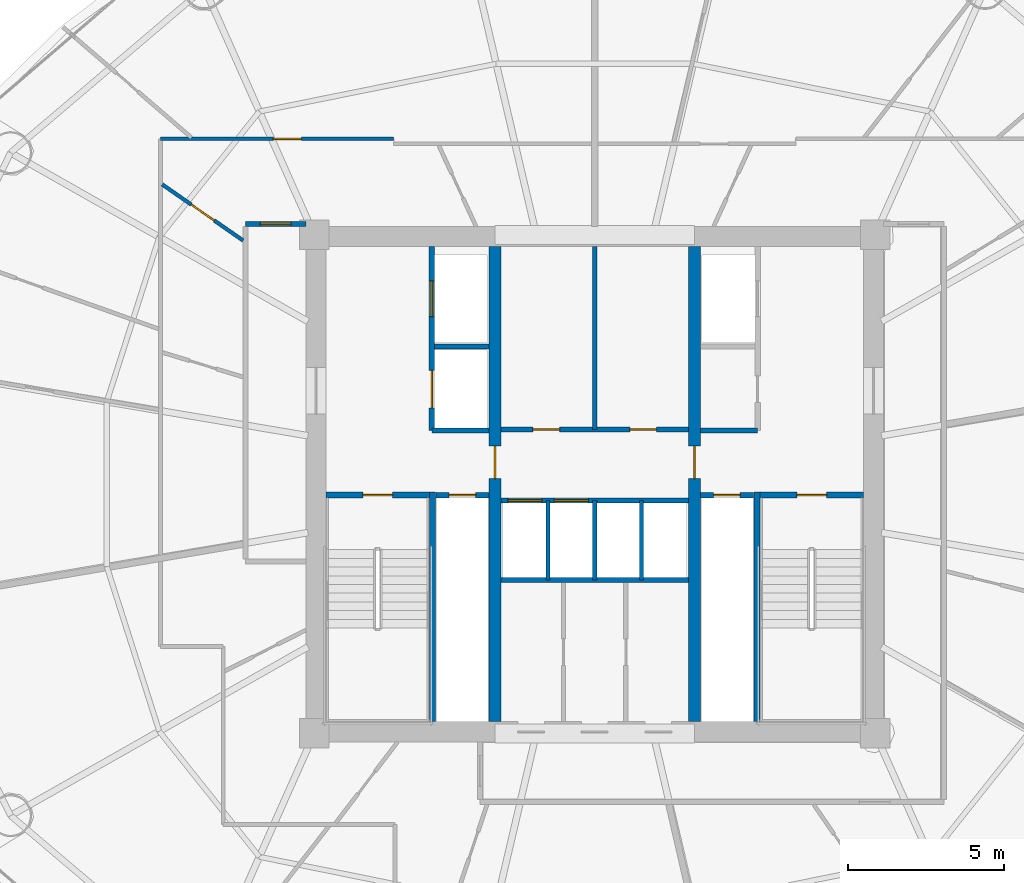
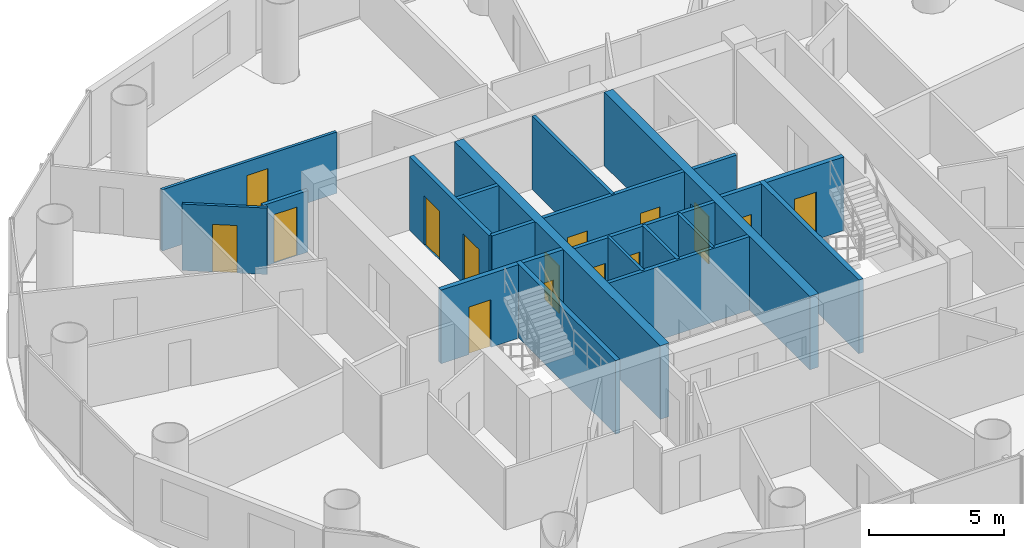
# One storey, part 21 of 26: 22 walls, 15 doors, 15 openings.
"""IFC4 building model written with IfcOpenShell, lengths in metres."""

from ifc_helpers import new_model, si_unit, direction, frame, frame_2d, origin, place, context, subcontext, project, spatial, rectangle, extrude, source, transform, mapped, material, layer, layer_set, type_object, element, fill, save


model = new_model("IFC4")

# Units and contexts
model_context = context("Model", 3, precision=1e-05, world=origin(), true_north=direction((-0.2419218956, 0.970295726276)))
body_context = subcontext(model_context, "Body", "Model", "MODEL_VIEW")
ifc_project = project(units=[si_unit("LENGTHUNIT", "METRE"), si_unit("AREAUNIT", "SQUARE_METRE"), si_unit("VOLUMEUNIT", "CUBIC_METRE"), si_unit("PLANEANGLEUNIT", "RADIAN"), si_unit("MASSUNIT", "GRAM", prefix="KILO")], contexts=[model_context])

# Site, building, storey
site_placement = place(None, origin())
site = spatial("IfcSite", under=ifc_project, at=site_placement, CompositionType="ELEMENT")
building_placement = place(site_placement, origin())
building = spatial("IfcBuilding", under=site, at=building_placement, Name="Cobrevalo Terracotta Tower", CompositionType="ELEMENT")
storey_placement = place(building_placement, frame((0.0, 0.0, 142.60009765625)))
storey = spatial("IfcBuildingStorey", under=building, at=storey_placement, Name="L37", CompositionType="ELEMENT", Elevation=142.60009765625)

# Walls
ifc_material_1 = material(Name="Gypsum board on steel stud", Category="steel")
ifc_layer_1 = layer(ifc_material_1, 0.159912109375)
ifc_layer_set_1 = layer_set([ifc_layer_1], Name="Gypsum board on steel stud")
wall_type_1 = type_object("IfcWallType", Name="Fire-rated corridor acoustic partition wall 160 mm", PredefinedType="PARTITIONING", material=ifc_layer_set_1)
wall_1_placement = place(storey_placement, frame((32.860107421875, 31.219970703125, 0.0), z_axis=(0.0, 0.0, 1.0), x_axis=(1.0, 0.0, 0.0)))
element("IfcWall", 1, at=wall_1_placement, inside=storey, type_object=wall_type_1, Name="L37 interior partition IW-L37-FF1-M", PredefinedType="PARTITIONING", context=body_context, shape_type="SweptSolid", body=[
    extrude(rectangle(XDim=1.75, YDim=0.159912109375, at=frame_2d((0.875, 0.0))), origin(), (0.0, 0.0, 1.0), 3.329833984375),
])
for number, where, z_axis, x_axis, name in (
    (2, (32.77001953125, 28.52001953125, 0.0), (0.0, 0.0, 1.0), (1.0, 0.0, 0.0), "L37 interior partition IW-L37-FF1-S"),
    (3, (41.389892578125, 28.52001953125, 0.0), (0.0, 0.0, 1.0), (1.0, 0.0, 0.0), "L37 interior partition IW-L37-FF2-S"),
):
    element("IfcWall", number, at=place(storey_placement, frame(where, z_axis=z_axis, x_axis=x_axis)), inside=storey, type_object=wall_type_1, Name=name, PredefinedType="PARTITIONING", context=body_context, shape_type="SweptSolid", body=[
        extrude(rectangle(XDim=1.840087890625, YDim=0.159912109375, at=frame_2d((0.919921875, 0.0))), origin(), (0.0, 0.0, 1.0), 3.329833984375),
    ])

# Wall, openings, doors
wall_2_placement = place(storey_placement, frame((34.989990234375, 28.56005859375, 0.0), z_axis=(0.0, 0.0, 1.0), x_axis=(1.0, 0.0, 0.0)))
wall_2 = element("IfcWall", 4, at=wall_2_placement, inside=storey, type_object=wall_type_1, Name="L37 interior partition IW-L37-LB-S", PredefinedType="PARTITIONING", context=body_context, shape_type="SweptSolid", body=[
    extrude(rectangle(XDim=6.02001953125, YDim=0.159912109375, at=frame_2d((3.010009765625, 0.0))), origin(), (0.0, 0.0, 1.0), 3.329833984375),
])
opening_1_placement = place(wall_2_placement, frame((1.02490234375, 0.0, 0.0)))
opening_1 = element("IfcOpeningElement", 5, at=opening_1_placement, cuts=wall_2, Name="Opening ID-07", PredefinedType="OPENING", context=body_context, shape_type="SweptSolid", body=[
    extrude(rectangle(XDim=0.860107421875, YDim=2.10009765625, at=frame_2d((0.43017578125, 1.050048828125))), frame((0.0, 0.08984375, 0.0), z_axis=(0.0, -1.0, 0.0), x_axis=(1.0, 0.0, 0.0)), (0.0, 0.0, 1.0), 0.179931640625),
])
opening_2_placement = place(wall_2_placement, frame((4.139892578125, 0.0, 0.0)))
opening_2 = element("IfcOpeningElement", 6, at=opening_2_placement, cuts=wall_2, Name="Opening ID-22", PredefinedType="OPENING", context=body_context, shape_type="SweptSolid", body=[
    extrude(rectangle(XDim=0.85009765625, YDim=2.10009765625, at=frame_2d((0.425048828125, 1.050048828125))), frame((0.0, 0.08984375, 0.0), z_axis=(0.0, -1.0, 0.0), x_axis=(1.0, 0.0, 0.0)), (0.0, 0.0, 1.0), 0.179931640625),
])
ifc_material_2 = material(Name="Powder-coated steel", Category="steel")
door_type_1 = type_object("IfcDoorType", Name="Riser shaft & meter closet fire access door 850x2100 EI 60", OperationType="NOTDEFINED", PredefinedType="DOOR", material=ifc_material_2)
shared_shape_1 = source(origin(), body_context, "Body", "SweptSolid", [
    extrude(rectangle(XDim=0.85009765625, YDim=2.10009765625, at=frame_2d((0.425048828125, 1.050048828125))), frame((0.0, 0.02490234375, 0.0), z_axis=(0.0, -1.0, 0.0), x_axis=(1.0, 0.0, 0.0)), (0.0, 0.0, 1.0), 0.050048828125),
])
door_1_placement = place(opening_2_placement, origin())
door_1 = element("IfcDoor", 7, at=door_1_placement, inside=storey, type_object=door_type_1, Name="L37 core service door Floor Telecom and Metering Plant", OperationType="SINGLE_SWING_RIGHT", OverallHeight=2.10009765625, OverallWidth=0.85009765625, PredefinedType="DOOR", context=body_context, shape_type="MappedRepresentation", body=[
    mapped(shared_shape_1, transform((0.0, 0.0, 0.0), scale=1.0)),
])
fill(opening_2, door_1)
ifc_material_3 = material(Name="Fire-rated moisture-sealed timber", Category="wood")
door_type_2 = type_object("IfcDoorType", Name="Core & podium fire-rated accessible WC door 860x2100 EI 60", OperationType="NOTDEFINED", PredefinedType="DOOR", material=ifc_material_3)
shared_shape_2 = source(origin(), body_context, "Body", "SweptSolid", [
    extrude(rectangle(XDim=0.860107421875, YDim=2.10009765625, at=frame_2d((0.43017578125, 1.050048828125))), frame((0.0, 0.02490234375, 0.0), z_axis=(0.0, -1.0, 0.0), x_axis=(1.0, 0.0, 0.0)), (0.0, 0.0, 1.0), 0.050048828125),
])
door_2_placement = place(opening_1_placement, origin())
door_2 = element("IfcDoor", 8, at=door_2_placement, inside=storey, type_object=door_type_2, Name="L37 core service door Core Accessible Toilet WC", OperationType="SINGLE_SWING_LEFT", OverallHeight=2.10009765625, OverallWidth=0.860107421875, PredefinedType="DOOR", context=body_context, shape_type="MappedRepresentation", body=[
    mapped(shared_shape_2, transform((0.0, 0.0, 0.0), scale=1.0)),
])
fill(opening_1, door_2)

wall_3_placement = place(storey_placement, frame((34.989990234375, 26.280029296875, 0.0), z_axis=(0.0, 0.0, 1.0), x_axis=(1.0, 0.0, 0.0)))
wall_3 = element("IfcWall", 9, at=wall_3_placement, inside=storey, type_object=wall_type_1, Name="L37 interior partition IW-L37-MB-N", PredefinedType="PARTITIONING", context=body_context, shape_type="SweptSolid", body=[
    extrude(rectangle(XDim=6.02001953125, YDim=0.159912109375, at=frame_2d((3.010009765625, 0.0))), origin(), (0.0, 0.0, 1.0), 3.329833984375),
])
opening_3_placement = place(wall_3_placement, frame((0.22509765625, 0.0, 0.0)))
opening_3 = element("IfcOpeningElement", 10, at=opening_3_placement, cuts=wall_3, Name="Opening LD-01", PredefinedType="OPENING", context=body_context, shape_type="SweptSolid", body=[
    extrude(rectangle(XDim=1.10009765625, YDim=2.199951171875, at=frame_2d((0.550048828125, 1.10009765625))), frame((0.0, 0.08984375, 0.0), z_axis=(0.0, -1.0, 0.0), x_axis=(1.0, 0.0, 0.0)), (0.0, 0.0, 1.0), 0.179931640625),
])
opening_4_placement = place(wall_3_placement, frame((1.705078125, 0.0, 0.0)))
opening_4 = element("IfcOpeningElement", 11, at=opening_4_placement, cuts=wall_3, Name="Opening LD-01", PredefinedType="OPENING", context=body_context, shape_type="SweptSolid", body=[
    extrude(rectangle(XDim=1.10009765625, YDim=2.199951171875, at=frame_2d((0.550048828125, 1.10009765625))), frame((0.0, 0.08984375, 0.0), z_axis=(0.0, -1.0, 0.0), x_axis=(1.0, 0.0, 0.0)), (0.0, 0.0, 1.0), 0.179931640625),
])
ifc_material_4 = material(Name="Brushed stainless steel", Category="steel")
door_type_3 = type_object("IfcDoorType", Name="Passenger lift landing bi-parting sliding door 1100x2200 EI 90", OperationType="DOUBLE_DOOR_SLIDING", PredefinedType="DOOR", material=ifc_material_4)
shared_shape_3 = source(origin(), body_context, "Body", "SweptSolid", [
    extrude(rectangle(XDim=1.10009765625, YDim=2.199951171875, at=frame_2d((0.550048828125, 1.10009765625))), frame((0.0, 0.02490234375, 0.0), z_axis=(0.0, -1.0, 0.0), x_axis=(1.0, 0.0, 0.0)), (0.0, 0.0, 1.0), 0.050048828125),
])
door_3_placement = place(opening_3_placement, origin())
door_3 = element("IfcDoor", 12, at=door_3_placement, inside=storey, type_object=door_type_3, Name="L37 lift landing door PL-M1", OperationType="DOUBLE_DOOR_SLIDING", OverallHeight=2.199951171875, OverallWidth=1.10009765625, PredefinedType="DOOR", context=body_context, shape_type="MappedRepresentation", body=[
    mapped(shared_shape_3, transform((0.0, 0.0, 0.0), scale=1.0)),
])
fill(opening_3, door_3)
door_4_placement = place(opening_4_placement, origin())
door_4 = element("IfcDoor", 13, at=door_4_placement, inside=storey, type_object=door_type_3, Name="L37 lift landing door PL-M2", OperationType="DOUBLE_DOOR_SLIDING", OverallHeight=2.199951171875, OverallWidth=1.10009765625, PredefinedType="DOOR", context=body_context, shape_type="MappedRepresentation", body=[
    mapped(shared_shape_3, transform((0.0, 0.0, 0.0), scale=1.0)),
])
fill(opening_4, door_4)

# Wall
wall_4_placement = place(storey_placement, frame((34.989990234375, 23.719970703125, 0.0), z_axis=(0.0, 0.0, 1.0), x_axis=(1.0, 0.0, 0.0)))
element("IfcWall", 14, at=wall_4_placement, inside=storey, type_object=wall_type_1, Name="L37 interior partition IW-L37-MB-S", PredefinedType="PARTITIONING", context=body_context, shape_type="SweptSolid", body=[
    extrude(rectangle(XDim=6.02001953125, YDim=0.159912109375, at=frame_2d((3.010009765625, 0.0))), origin(), (0.0, 0.0, 1.0), 3.329833984375),
])

# Wall, opening, door
wall_5_placement = place(storey_placement, frame((26.794921875, 35.155029296875, 0.0), z_axis=(0.0, 0.0, 1.0), x_axis=(1.0, 0.0, 0.0)))
wall_5 = element("IfcWall", 15, at=wall_5_placement, inside=storey, type_object=wall_type_1, Name="L37 interior partition IW-L37-COR-WN-CAP", PredefinedType="PARTITIONING", context=body_context, shape_type="SweptSolid", body=[
    extrude(rectangle(XDim=1.93017578125, YDim=0.159912109375, at=frame_2d((0.965087890625, 0.0))), origin(), (0.0, 0.0, 1.0), 2.77587890625),
])
opening_5_placement = place(wall_5_placement, frame((0.47509765625, 0.0, 0.0)))
opening_5 = element("IfcOpeningElement", 16, at=opening_5_placement, cuts=wall_5, Name="Opening ID-05", PredefinedType="OPENING", context=body_context, shape_type="SweptSolid", body=[
    extrude(rectangle(XDim=0.97998046875, YDim=2.199951171875, at=frame_2d((0.489990234375, 1.10009765625))), frame((0.0, 0.08984375, 0.0), z_axis=(0.0, -1.0, 0.0), x_axis=(1.0, 0.0, 0.0)), (0.0, 0.0, 1.0), 0.179931640625),
])
ifc_material_5 = material(Name="Solid hardwood timber", Category="wood")
door_type_4 = type_object("IfcDoorType", Name="Residence entrance fire-rated acoustic timber door 980x2200 EI 60", OperationType="NOTDEFINED", PredefinedType="DOOR", material=ifc_material_5)
shared_shape_4 = source(origin(), body_context, "Body", "SweptSolid", [
    extrude(rectangle(XDim=0.97998046875, YDim=2.199951171875, at=frame_2d((0.489990234375, 1.10009765625))), frame((0.0, 0.02490234375, 0.0), z_axis=(0.0, -1.0, 0.0), x_axis=(1.0, 0.0, 0.0)), (0.0, 0.0, 1.0), 0.050048828125),
])
door_5_placement = place(opening_5_placement, origin())
door_5 = element("IfcDoor", 17, at=door_5_placement, inside=storey, type_object=door_type_4, Name="Flat L37B fire-rated apartment entrance door", OperationType="SINGLE_SWING_RIGHT", OverallHeight=2.199951171875, OverallWidth=0.97998046875, PredefinedType="DOOR", context=body_context, shape_type="MappedRepresentation", body=[
    mapped(shared_shape_4, transform((0.0, 0.0, 0.0), scale=1.0)),
])
fill(opening_5, door_5)

ifc_layer_2 = layer(ifc_material_1, 0.179931640625)
ifc_layer_set_2 = layer_set([ifc_layer_2], Name="Gypsum board on steel stud")
wall_type_2 = type_object("IfcWallType", Name="Fire-rated shaft & lobby acoustic partition wall 180 mm", PredefinedType="PARTITIONING", material=ifc_layer_set_2)
wall_6_placement = place(storey_placement, frame((32.89990234375, 26.449951171875, 0.0), z_axis=(0.0, 0.0, 1.0), x_axis=(1.0, 0.0, 0.0)))
wall_6 = element("IfcWall", 18, at=wall_6_placement, inside=storey, type_object=wall_type_2, Name="L37 interior partition IW-L37-RSW-N", PredefinedType="PARTITIONING", context=body_context, shape_type="SweptSolid", body=[
    extrude(rectangle(XDim=1.710205078125, YDim=0.179931640625, at=frame_2d((0.85498046875, 0.0))), origin(), (0.0, 0.0, 1.0), 3.329833984375),
])
opening_6_placement = place(wall_6_placement, frame((0.429931640625, 0.0, 0.0)))
opening_6 = element("IfcOpeningElement", 19, at=opening_6_placement, cuts=wall_6, Name="Opening ID-22", PredefinedType="OPENING", context=body_context, shape_type="SweptSolid", body=[
    extrude(rectangle(XDim=0.85009765625, YDim=2.10009765625, at=frame_2d((0.425048828125, 1.050048828125))), frame((0.0, 0.10009765625, 0.0), z_axis=(0.0, -1.0, 0.0), x_axis=(1.0, 0.0, 0.0)), (0.0, 0.0, 1.0), 0.199951171875),
])
door_6_placement = place(opening_6_placement, origin())
door_6 = element("IfcDoor", 20, at=door_6_placement, inside=storey, type_object=door_type_1, Name="L37 riser access door RSW", OperationType="SINGLE_SWING_LEFT", OverallHeight=2.10009765625, OverallWidth=0.85009765625, PredefinedType="DOOR", context=body_context, shape_type="MappedRepresentation", body=[
    mapped(shared_shape_1, transform((0.0, 0.0, 0.0), scale=1.0)),
])
fill(opening_6, door_6)

wall_7_placement = place(storey_placement, frame((41.389892578125, 26.449951171875, 0.0), z_axis=(0.0, 0.0, 1.0), x_axis=(1.0, 0.0, 0.0)))
wall_7 = element("IfcWall", 21, at=wall_7_placement, inside=storey, type_object=wall_type_2, Name="L37 interior partition IW-L37-RSE-N", PredefinedType="PARTITIONING", context=body_context, shape_type="SweptSolid", body=[
    extrude(rectangle(XDim=1.710205078125, YDim=0.179931640625, at=frame_2d((0.85498046875, 0.0))), origin(), (0.0, 0.0, 1.0), 3.329833984375),
])
opening_7_placement = place(wall_7_placement, frame((0.429931640625, 0.0, 0.0)))
opening_7 = element("IfcOpeningElement", 22, at=opening_7_placement, cuts=wall_7, Name="Opening ID-22", PredefinedType="OPENING", context=body_context, shape_type="SweptSolid", body=[
    extrude(rectangle(XDim=0.85009765625, YDim=2.10009765625, at=frame_2d((0.425048828125, 1.050048828125))), frame((0.0, 0.10009765625, 0.0), z_axis=(0.0, -1.0, 0.0), x_axis=(1.0, 0.0, 0.0)), (0.0, 0.0, 1.0), 0.199951171875),
])
door_7_placement = place(opening_7_placement, origin())
door_7 = element("IfcDoor", 23, at=door_7_placement, inside=storey, type_object=door_type_1, Name="L37 riser access door RSE", OperationType="SINGLE_SWING_RIGHT", OverallHeight=2.10009765625, OverallWidth=0.85009765625, PredefinedType="DOOR", context=body_context, shape_type="MappedRepresentation", body=[
    mapped(shared_shape_1, transform((0.0, 0.0, 0.0), scale=1.0)),
])
fill(opening_7, door_7)

# Wall, openings, doors
wall_8_placement = place(storey_placement, frame((32.77001953125, 28.52001953125, 0.0), z_axis=(0.0, 0.0, 1.0), x_axis=(0.0, 1.0, 0.0)))
wall_8 = element("IfcWall", 24, at=wall_8_placement, inside=storey, type_object=wall_type_2, Name="L37 interior partition IW-L37-FF1-W", PredefinedType="PARTITIONING", context=body_context, shape_type="SweptSolid", body=[
    extrude(rectangle(XDim=5.905029296875, YDim=0.179931640625, at=frame_2d((2.95263671875, 0.0))), origin(), (0.0, 0.0, 1.0), 3.329833984375),
])
opening_8_placement = place(wall_8_placement, frame((3.655029296875, 0.0, 0.0)))
opening_8 = element("IfcOpeningElement", 25, at=opening_8_placement, cuts=wall_8, Name="Opening LD-02", PredefinedType="OPENING", context=body_context, shape_type="SweptSolid", body=[
    extrude(rectangle(XDim=1.14990234375, YDim=2.199951171875, at=frame_2d((0.574951171875, 1.10009765625))), frame((0.0, 0.10009765625, 0.0), z_axis=(0.0, -1.0, 0.0), x_axis=(1.0, 0.0, 0.0)), (0.0, 0.0, 1.0), 0.199951171875),
])
opening_9_placement = place(wall_8_placement, frame((0.72998046875, 0.0, 0.0)))
opening_9 = element("IfcOpeningElement", 26, at=opening_9_placement, cuts=wall_8, Name="Opening LD-03", PredefinedType="OPENING", context=body_context, shape_type="SweptSolid", body=[
    extrude(rectangle(XDim=1.199951171875, YDim=2.25, at=frame_2d((0.60009765625, 1.125))), frame((0.0, 0.10009765625, 0.0), z_axis=(0.0, -1.0, 0.0), x_axis=(1.0, 0.0, 0.0)), (0.0, 0.0, 1.0), 0.199951171875),
])
door_type_5 = type_object("IfcDoorType", Name="Firefighting lift landing bi-parting sliding door 1150x2200 EI 120", OperationType="DOUBLE_DOOR_SLIDING", PredefinedType="DOOR", material=ifc_material_4)
shared_shape_5 = source(origin(), body_context, "Body", "SweptSolid", [
    extrude(rectangle(XDim=1.14990234375, YDim=2.199951171875, at=frame_2d((0.574951171875, 1.10009765625))), frame((0.0, 0.02490234375, 0.0), z_axis=(0.0, -1.0, 0.0), x_axis=(1.0, 0.0, 0.0)), (0.0, 0.0, 1.0), 0.050048828125),
])
door_8_placement = place(opening_8_placement, origin())
door_8 = element("IfcDoor", 27, at=door_8_placement, inside=storey, type_object=door_type_5, Name="L37 lift landing door FF-1", OperationType="DOUBLE_DOOR_SLIDING", OverallHeight=2.199951171875, OverallWidth=1.14990234375, PredefinedType="DOOR", context=body_context, shape_type="MappedRepresentation", body=[
    mapped(shared_shape_5, transform((0.0, 0.0, 0.0), scale=1.0)),
])
fill(opening_8, door_8)
door_type_6 = type_object("IfcDoorType", Name="Service lift landing bi-parting sliding door 1200x2250 EI 120", OperationType="DOUBLE_DOOR_SLIDING", PredefinedType="DOOR", material=ifc_material_4)
shared_shape_6 = source(origin(), body_context, "Body", "SweptSolid", [
    extrude(rectangle(XDim=1.199951171875, YDim=2.25, at=frame_2d((0.60009765625, 1.125))), frame((0.0, 0.02490234375, 0.0), z_axis=(0.0, -1.0, 0.0), x_axis=(1.0, 0.0, 0.0)), (0.0, 0.0, 1.0), 0.050048828125),
])
door_9_placement = place(opening_9_placement, origin())
door_9 = element("IfcDoor", 28, at=door_9_placement, inside=storey, type_object=door_type_6, Name="L37 lift landing door SV-1", OperationType="DOUBLE_DOOR_SLIDING", OverallHeight=2.25, OverallWidth=1.199951171875, PredefinedType="DOOR", context=body_context, shape_type="MappedRepresentation", body=[
    mapped(shared_shape_6, transform((0.0, 0.0, 0.0), scale=1.0)),
])
fill(opening_9, door_9)

# Walls
ifc_material_6 = material(Name="Autoclaved aerated concrete block", Category="concrete")
ifc_layer_3 = layer(ifc_material_6, 0.1201171875)
ifc_layer_set_3 = layer_set([ifc_layer_3], Name="Autoclaved aerated concrete block")
wall_type_3 = type_object("IfcWallType", Name="Fire-rated wet-room & core service partition 120 mm", PredefinedType="PARTITIONING", material=ifc_layer_set_3)
for number, where, z_axis, x_axis, name in (
    (29, (36.5, 23.719970703125, 0.0), (0.0, 0.0, 1.0), (0.0, 1.0, 0.0), "L37 interior partition IW-L37-MB-D1"),
    (30, (39.5, 23.719970703125, 0.0), (0.0, 0.0, 1.0), (0.0, 1.0, 0.0), "L37 interior partition IW-L37-MB-D3"),
):
    element("IfcWall", number, at=place(storey_placement, frame(where, z_axis=z_axis, x_axis=x_axis)), inside=storey, type_object=wall_type_3, Name=name, PredefinedType="PARTITIONING", context=body_context, shape_type="SweptSolid", body=[
        extrude(rectangle(XDim=2.56005859375, YDim=0.1201171875, at=frame_2d((1.280029296875, 0.0))), origin(), (0.0, 0.0, 1.0), 3.329833984375),
    ])

# Wall, opening, door
ifc_material_7 = material(Name="Concrete C50", Category="concrete")
ifc_layer_4 = layer(ifc_material_7, 0.3798828125)
ifc_layer_set_4 = layer_set([ifc_layer_4], Name="Concrete C50")
wall_type_4 = type_object("IfcWallType", Name="Internal core shear web wall 380 mm Concrete C50", PredefinedType="SHEAR", material=ifc_layer_set_4)
wall_9_placement = place(storey_placement, frame((34.800048828125, 19.175048828125, 0.0), z_axis=(0.0, 0.0, 1.0), x_axis=(0.0, 1.0, 0.0)))
wall_9 = element("IfcWall", 31, at=wall_9_placement, inside=storey, type_object=wall_type_4, Name="L37 internal core shear wall WEB-W", PredefinedType="SHEAR", context=body_context, shape_type="SweptSolid", body=[
    extrude(rectangle(XDim=15.25, YDim=0.3798828125, at=frame_2d((7.625, 0.0))), origin(), (0.0, 0.0, 1.0), 3.329833984375),
])
opening_10_placement = place(wall_9_placement, frame((7.800048828125, 0.0, 0.0)))
opening_10 = element("IfcOpeningElement", 32, at=opening_10_placement, cuts=wall_9, Name="Opening ID-11", PredefinedType="OPENING", context=body_context, shape_type="SweptSolid", body=[
    extrude(rectangle(XDim=1.050048828125, YDim=2.14990234375, at=frame_2d((0.52490234375, 1.074951171875))), frame((0.0, 0.199951171875, 0.0), z_axis=(0.0, -1.0, 0.0), x_axis=(1.0, 0.0, 0.0)), (0.0, 0.0, 1.0), 0.39990234375),
])
ifc_material_8 = material(Name="Galvanized fire-rated steel", Category="steel")
door_type_7 = type_object("IfcDoorType", Name="Core concourse cross fire door 1050x2150 EI 90", OperationType="NOTDEFINED", PredefinedType="DOOR", material=ifc_material_8)
shared_shape_7 = source(origin(), body_context, "Body", "SweptSolid", [
    extrude(rectangle(XDim=1.050048828125, YDim=2.14990234375, at=frame_2d((0.52490234375, 1.074951171875))), frame((0.0, 0.02490234375, 0.0), z_axis=(0.0, -1.0, 0.0), x_axis=(1.0, 0.0, 0.0)), (0.0, 0.0, 1.0), 0.050048828125),
])
door_10_placement = place(opening_10_placement, origin())
door_10 = element("IfcDoor", 33, at=door_10_placement, inside=storey, type_object=door_type_7, Name="L37 west core concourse cross door", OperationType="SINGLE_SWING_LEFT", OverallHeight=2.14990234375, OverallWidth=1.050048828125, PredefinedType="DOOR", context=body_context, shape_type="MappedRepresentation", body=[
    mapped(shared_shape_7, transform((0.0, 0.0, 0.0), scale=1.0)),
])
fill(opening_10, door_10)

wall_10_placement = place(storey_placement, frame((41.199951171875, 19.175048828125, 0.0), z_axis=(0.0, 0.0, 1.0), x_axis=(0.0, 1.0, 0.0)))
wall_10 = element("IfcWall", 34, at=wall_10_placement, inside=storey, type_object=wall_type_4, Name="L37 internal core shear wall WEB-E", PredefinedType="SHEAR", context=body_context, shape_type="SweptSolid", body=[
    extrude(rectangle(XDim=15.25, YDim=0.3798828125, at=frame_2d((7.625, 0.0))), origin(), (0.0, 0.0, 1.0), 3.329833984375),
])
opening_11_placement = place(wall_10_placement, frame((7.800048828125, 0.0, 0.0)))
opening_11 = element("IfcOpeningElement", 35, at=opening_11_placement, cuts=wall_10, Name="Opening ID-11", PredefinedType="OPENING", context=body_context, shape_type="SweptSolid", body=[
    extrude(rectangle(XDim=1.050048828125, YDim=2.14990234375, at=frame_2d((0.52490234375, 1.074951171875))), frame((0.0, 0.199951171875, 0.0), z_axis=(0.0, -1.0, 0.0), x_axis=(1.0, 0.0, 0.0)), (0.0, 0.0, 1.0), 0.39990234375),
])
door_11_placement = place(opening_11_placement, frame((1.050048828125, 0.0, 0.0), z_axis=(0.0, 0.0, 1.0), x_axis=(-1.0, 0.0, 0.0)))
door_11 = element("IfcDoor", 36, at=door_11_placement, inside=storey, type_object=door_type_7, Name="L37 east core concourse cross door", OperationType="SINGLE_SWING_RIGHT", OverallHeight=2.14990234375, OverallWidth=1.050048828125, PredefinedType="DOOR", context=body_context, shape_type="MappedRepresentation", body=[
    mapped(shared_shape_7, transform((0.0, 0.0, 0.0), scale=1.0)),
])
fill(opening_11, door_11)

# Walls
ifc_layer_5 = layer(ifc_material_6, 0.139892578125)
ifc_layer_set_5 = layer_set([ifc_layer_5], Name="Autoclaved aerated concrete block")
wall_type_5 = type_object("IfcWallType", Name="Moisture-resistant wet-room & core service partition 140 mm", PredefinedType="PARTITIONING", material=ifc_layer_set_5)
wall_11_placement = place(storey_placement, frame((38.0, 28.56005859375, 0.0), z_axis=(0.0, 0.0, 1.0), x_axis=(0.0, 1.0, 0.0)))
element("IfcWall", 37, at=wall_11_placement, inside=storey, type_object=wall_type_5, Name="L37 interior partition IW-L37-KVN-1", PredefinedType="PARTITIONING", context=body_context, shape_type="SweptSolid", body=[
    extrude(rectangle(XDim=5.864990234375, YDim=0.139892578125, at=frame_2d((2.9326171875, 0.0))), origin(), (0.0, 0.0, 1.0), 3.329833984375),
])
wall_12_placement = place(storey_placement, frame((38.0, 23.719970703125, 0.0), z_axis=(0.0, 0.0, 1.0), x_axis=(0.0, 1.0, 0.0)))
element("IfcWall", 38, at=wall_12_placement, inside=storey, type_object=wall_type_5, Name="L37 interior partition IW-L37-MB-D2", PredefinedType="PARTITIONING", context=body_context, shape_type="SweptSolid", body=[
    extrude(rectangle(XDim=2.56005859375, YDim=0.139892578125, at=frame_2d((1.280029296875, 0.0))), origin(), (0.0, 0.0, 1.0), 3.329833984375),
])

# Wall, opening, door
ifc_layer_6 = layer(ifc_material_1, 0.1201171875)
ifc_layer_set_6 = layer_set([ifc_layer_6], Name="Gypsum board on steel stud")
wall_type_6 = type_object("IfcWallType", Name="Residential internal acoustic stud partition 120 mm", PredefinedType="PARTITIONING", material=ifc_layer_set_6)
wall_13_placement = place(storey_placement, frame((24.06494140625, 37.885009765625, 0.0), z_axis=(0.0, 0.0, 1.0), x_axis=(1.0, 0.0, 0.0)))
wall_13 = element("IfcWall", 39, at=wall_13_placement, inside=storey, type_object=wall_type_6, Name="L37 interior partition IW-L37-U2-RING1_0", PredefinedType="PARTITIONING", context=body_context, shape_type="SweptSolid", body=[
    extrude(rectangle(XDim=7.469970703125, YDim=0.1201171875, at=frame_2d((3.73486328125, 0.0))), origin(), (0.0, 0.0, 1.0), 2.77587890625),
])
opening_12_placement = place(wall_13_placement, frame((3.619873046875, 0.0, 0.0)))
opening_12 = element("IfcOpeningElement", 40, at=opening_12_placement, cuts=wall_13, Name="Opening ID-12", PredefinedType="OPENING", context=body_context, shape_type="SweptSolid", body=[
    extrude(rectangle(XDim=0.89990234375, YDim=2.14990234375, at=frame_2d((0.449951171875, 1.074951171875))), frame((0.0, 0.070068359375, 0.0), z_axis=(0.0, -1.0, 0.0), x_axis=(1.0, 0.0, 0.0)), (0.0, 0.0, 1.0), 0.14013671875),
])
ifc_material_9 = material(Name="Engineered timber", Category="wood")
door_type_8 = type_object("IfcDoorType", Name="Internal residence & suite timber door 900x2150", OperationType="NOTDEFINED", PredefinedType="DOOR", material=ifc_material_9)
shared_shape_8 = source(origin(), body_context, "Body", "SweptSolid", [
    extrude(rectangle(XDim=0.89990234375, YDim=2.14990234375, at=frame_2d((0.449951171875, 1.074951171875))), frame((0.0, 0.02490234375, 0.0), z_axis=(0.0, -1.0, 0.0), x_axis=(1.0, 0.0, 0.0)), (0.0, 0.0, 1.0), 0.050048828125),
])
door_12_placement = place(opening_12_placement, origin())
door_12 = element("IfcDoor", 41, at=door_12_placement, inside=storey, type_object=door_type_8, Name="Flat L37B Penthouse Living and Dining Room internal door", OperationType="SINGLE_SWING_RIGHT", OverallHeight=2.14990234375, OverallWidth=0.89990234375, PredefinedType="DOOR", context=body_context, shape_type="MappedRepresentation", body=[
    mapped(shared_shape_8, transform((0.0, 0.0, 0.0), scale=1.0)),
])
fill(opening_12, door_12)

wall_14_placement = place(storey_placement, frame((26.715087890625, 34.62060546875, 0.0), z_axis=(0.0, 0.0, 1.0), x_axis=(-0.821950303779, 0.569559213881, 0.0)))
wall_14 = element("IfcWall", 42, at=wall_14_placement, inside=storey, type_object=wall_type_6, Name="L37 interior partition IW-L37-U2-IRAD2", PredefinedType="PARTITIONING", context=body_context, shape_type="SweptSolid", body=[
    extrude(rectangle(XDim=3.162109375, YDim=0.1201171875, at=frame_2d((1.5810546875, 0.0))), origin(), (0.0, 0.0, 1.0), 3.0048828125),
])
opening_13_placement = place(wall_14_placement, frame((1.131103515625, 0.0, 0.0)))
opening_13 = element("IfcOpeningElement", 43, at=opening_13_placement, cuts=wall_14, Name="Opening ID-12", PredefinedType="OPENING", context=body_context, shape_type="SweptSolid", body=[
    extrude(rectangle(XDim=0.89990234375, YDim=2.14990234375, at=frame_2d((0.449951171875, 1.074951171875))), frame((0.0, 0.070068359375, 0.0), z_axis=(0.0, -1.0, 0.0), x_axis=(1.0, 0.0, 0.0)), (0.0, 0.0, 1.0), 0.14013671875),
])
door_13_placement = place(opening_13_placement, origin())
door_13 = element("IfcDoor", 44, at=door_13_placement, inside=storey, type_object=door_type_8, Name="Flat L37B Kitchen internal door", OperationType="SINGLE_SWING_LEFT", OverallHeight=2.14990234375, OverallWidth=0.89990234375, PredefinedType="DOOR", context=body_context, shape_type="MappedRepresentation", body=[
    mapped(shared_shape_8, transform((0.0, 0.0, 0.0), scale=1.0)),
])
fill(opening_13, door_13)

# Wall
ifc_layer_7 = layer(ifc_material_7, 0.199951171875)
ifc_layer_set_7 = layer_set([ifc_layer_7], Name="Concrete C50")
wall_type_7 = type_object("IfcWallType", Name="Structural core & podium stair-shaft RC wall 200 mm Concrete C50", PredefinedType="SOLIDWALL", material=ifc_layer_set_7)
wall_15_placement = place(storey_placement, frame((32.794921875, 19.175048828125, 0.0), z_axis=(0.0, 0.0, 1.0), x_axis=(0.0, 1.0, 0.0)))
element("IfcWall", 45, at=wall_15_placement, inside=storey, type_object=wall_type_7, Name="L37 ST-1 east structural shaft wall", PredefinedType="SOLIDWALL", context=body_context, shape_type="SweptSolid", body=[
    extrude(rectangle(XDim=7.375, YDim=0.199951171875, at=frame_2d((3.6875, 0.0))), origin(), (0.0, 0.0, 1.0), 3.329833984375),
])

# Wall, opening, door
wall_16_placement = place(storey_placement, frame((29.375, 26.449951171875, 0.0), z_axis=(0.0, 0.0, 1.0), x_axis=(1.0, 0.0, 0.0)))
wall_16 = element("IfcWall", 46, at=wall_16_placement, inside=storey, type_object=wall_type_7, Name="L37 ST-1 north structural shaft wall", PredefinedType="SOLIDWALL", context=body_context, shape_type="SweptSolid", body=[
    extrude(rectangle(XDim=3.320068359375, YDim=0.199951171875, at=frame_2d((1.66015625, 0.0))), origin(), (0.0, 0.0, 1.0), 3.329833984375),
])
opening_14_placement = place(wall_16_placement, frame((1.18505859375, 0.0, 0.0)))
opening_14 = element("IfcOpeningElement", 47, at=opening_14_placement, cuts=wall_16, Name="Opening ID-04", PredefinedType="OPENING", context=body_context, shape_type="SweptSolid", body=[
    extrude(rectangle(XDim=0.949951171875, YDim=2.14990234375, at=frame_2d((0.47509765625, 1.074951171875))), frame((0.0, 0.10986328125, 0.0), z_axis=(0.0, -1.0, 0.0), x_axis=(1.0, 0.0, 0.0)), (0.0, 0.0, 1.0), 0.219970703125),
])
door_type_9 = type_object("IfcDoorType", Name="Stair & firefighting lobby fire door 950x2150 EI 90", OperationType="NOTDEFINED", PredefinedType="DOOR", material=ifc_material_8)
shared_shape_9 = source(origin(), body_context, "Body", "SweptSolid", [
    extrude(rectangle(XDim=0.949951171875, YDim=2.14990234375, at=frame_2d((0.47509765625, 1.074951171875))), frame((0.0, 0.02490234375, 0.0), z_axis=(0.0, -1.0, 0.0), x_axis=(1.0, 0.0, 0.0)), (0.0, 0.0, 1.0), 0.050048828125),
])
door_14_placement = place(opening_14_placement, origin())
door_14 = element("IfcDoor", 48, at=door_14_placement, inside=storey, type_object=door_type_9, Name="L37 protected stair ST1 fire door", OperationType="SINGLE_SWING_LEFT", OverallHeight=2.14990234375, OverallWidth=0.949951171875, PredefinedType="DOOR", context=body_context, shape_type="MappedRepresentation", body=[
    mapped(shared_shape_9, transform((0.0, 0.0, 0.0), scale=1.0)),
])
fill(opening_14, door_14)

# Wall
wall_17_placement = place(storey_placement, frame((43.205078125, 19.175048828125, 0.0), z_axis=(0.0, 0.0, 1.0), x_axis=(0.0, 1.0, 0.0)))
element("IfcWall", 49, at=wall_17_placement, inside=storey, type_object=wall_type_7, Name="L37 ST-2 west structural shaft wall", PredefinedType="SOLIDWALL", context=body_context, shape_type="SweptSolid", body=[
    extrude(rectangle(XDim=7.375, YDim=0.199951171875, at=frame_2d((3.6875, 0.0))), origin(), (0.0, 0.0, 1.0), 3.329833984375),
])

# Wall, opening, door
wall_18_placement = place(storey_placement, frame((43.304931640625, 26.449951171875, 0.0), z_axis=(0.0, 0.0, 1.0), x_axis=(1.0, 0.0, 0.0)))
wall_18 = element("IfcWall", 50, at=wall_18_placement, inside=storey, type_object=wall_type_7, Name="L37 ST-2 north structural shaft wall", PredefinedType="SOLIDWALL", context=body_context, shape_type="SweptSolid", body=[
    extrude(rectangle(XDim=3.320068359375, YDim=0.199951171875, at=frame_2d((1.66015625, 0.0))), origin(), (0.0, 0.0, 1.0), 3.329833984375),
])
opening_15_placement = place(wall_18_placement, frame((1.18505859375, 0.0, 0.0)))
opening_15 = element("IfcOpeningElement", 51, at=opening_15_placement, cuts=wall_18, Name="Opening ID-04", PredefinedType="OPENING", context=body_context, shape_type="SweptSolid", body=[
    extrude(rectangle(XDim=0.949951171875, YDim=2.14990234375, at=frame_2d((0.47509765625, 1.074951171875))), frame((0.0, 0.10986328125, 0.0), z_axis=(0.0, -1.0, 0.0), x_axis=(1.0, 0.0, 0.0)), (0.0, 0.0, 1.0), 0.219970703125),
])
door_15_placement = place(opening_15_placement, frame((0.949951171875, 0.0, 0.0), z_axis=(0.0, 0.0, 1.0), x_axis=(-1.0, 0.0, 0.0)))
door_15 = element("IfcDoor", 52, at=door_15_placement, inside=storey, type_object=door_type_9, Name="L37 protected stair ST2 fire door", OperationType="SINGLE_SWING_RIGHT", OverallHeight=2.14990234375, OverallWidth=0.949951171875, PredefinedType="DOOR", context=body_context, shape_type="MappedRepresentation", body=[
    mapped(shared_shape_9, transform((0.0, 0.0, 0.0), scale=1.0)),
])
fill(opening_15, door_15)

save(model, "model.ifc")
